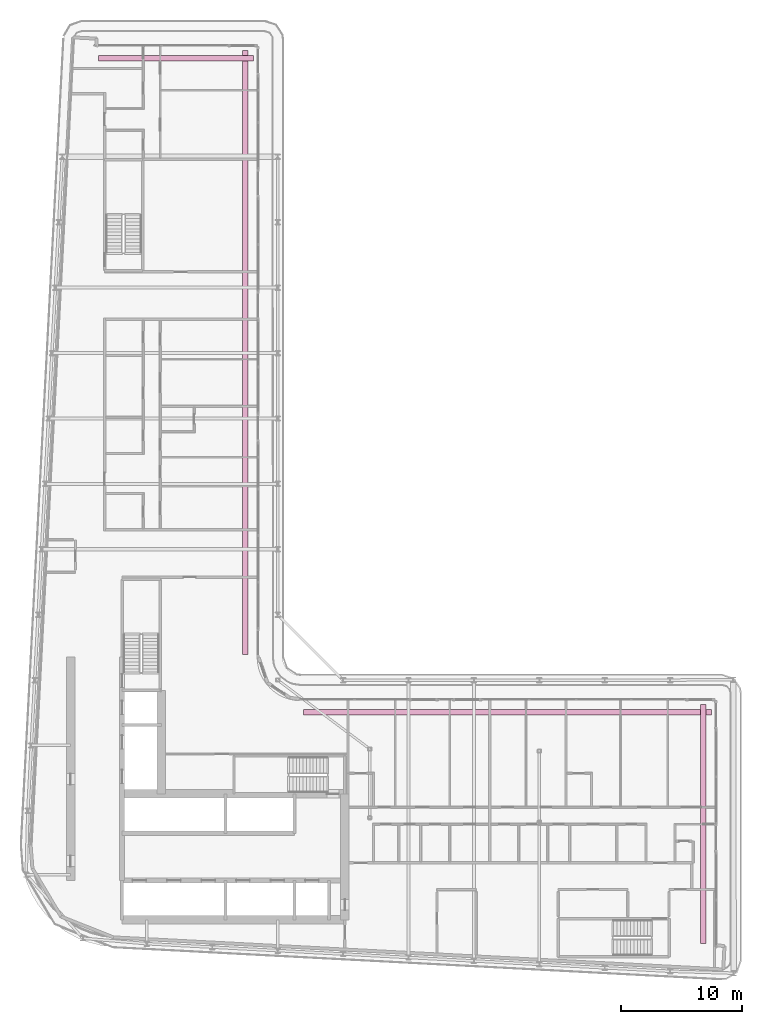
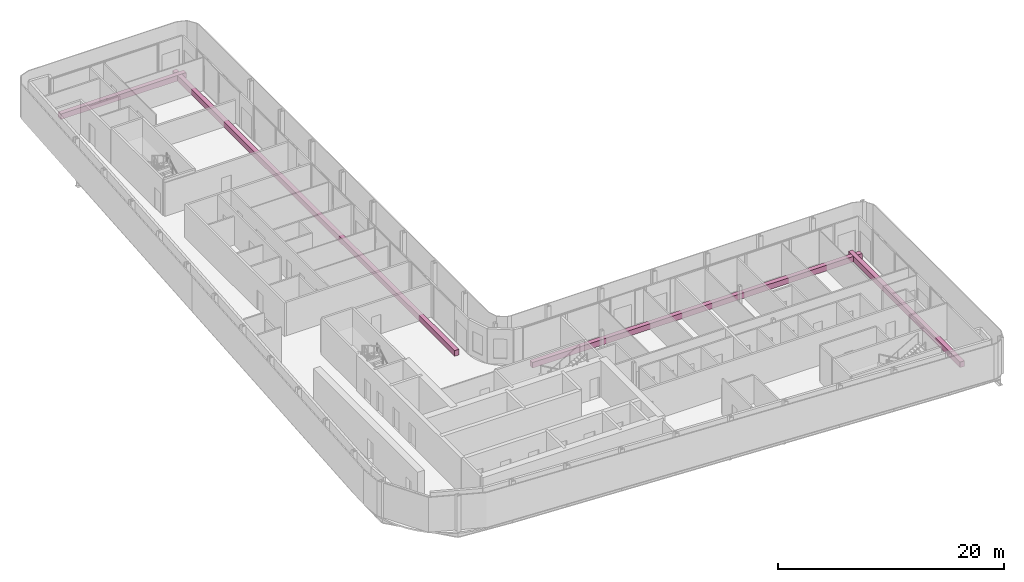
# One storey, part 23 of 23: 4 furniture elements.
"""IFC4 building model written with IfcOpenShell, lengths in metres."""

from ifc_helpers import new_model, si_unit, direction, frame, origin, origin_2d, place, context, subcontext, project, spatial, rectangle, extrude, material, type_object, element, save


model = new_model("IFC4")

# Units and contexts
model_context = context("Model", 3, precision=1e-05, world=origin(), true_north=direction((0.0, 1.0)))
body_context = subcontext(model_context, "Body", "Model", "MODEL_VIEW")
ifc_project = project(units=[si_unit("LENGTHUNIT", "METRE"), si_unit("AREAUNIT", "SQUARE_METRE"), si_unit("VOLUMEUNIT", "CUBIC_METRE"), si_unit("PLANEANGLEUNIT", "RADIAN"), si_unit("MASSUNIT", "GRAM", prefix="KILO")], contexts=[model_context])

# Site, building, storey
site_placement = place(None, origin())
site = spatial("IfcSite", under=ifc_project, at=site_placement, CompositionType="ELEMENT")
building_placement = place(site_placement, origin())
building = spatial("IfcBuilding", under=site, at=building_placement, Name="Kheshtan School and Residences Tower", CompositionType="ELEMENT")
storey_placement = place(building_placement, frame((0.0, 0.0, 259.10009765625)))
storey = spatial("IfcBuildingStorey", under=building, at=storey_placement, Name="L61", CompositionType="ELEMENT", Elevation=259.10009765625)

# Furniture
ifc_material = material(Name="Precast concrete C30/37 in terracotta finish", Category="masonry")
furniture_type = type_object("IfcFurnitureType", Name="Planter trough", AssemblyPlace="NOTDEFINED", PredefinedType="USERDEFINED", material=ifc_material)
furniture_1_placement = place(storey_placement, frame((39.196044921875, 96.925048828125, -0.000244140625), z_axis=(0.0, 0.0, 1.0), x_axis=(1.0, 0.0, 0.0)))
element("IfcFurniture", 1, at=furniture_1_placement, inside=storey, type_object=furniture_type, Name="Planter L61", ObjectType="PLANTER", PredefinedType="USERDEFINED", context=body_context, shape_type="SweptSolid", body=[
    extrude(rectangle(XDim=12.80810546875, YDim=0.449951171875, at=origin_2d()), origin(), (0.0, 0.0, 1.0), 0.60009765625),
])
furniture_2_placement = place(storey_placement, frame((44.925048828125, 72.6650390625, -0.000244140625), z_axis=(0.0, 0.0, 1.0), x_axis=(0.0, -1.0, 0.0)))
element("IfcFurniture", 2, at=furniture_2_placement, inside=storey, type_object=furniture_type, Name="Planter L61", ObjectType="PLANTER", PredefinedType="USERDEFINED", context=body_context, shape_type="SweptSolid", body=[
    extrude(rectangle(XDim=49.8701171875, YDim=0.449951171875, at=origin_2d()), origin(), (0.0, 0.0, 1.0), 0.60009765625),
])
furniture_3_placement = place(storey_placement, frame((66.56494140625, 42.925048828125, -0.000244140625), z_axis=(0.0, 0.0, 1.0), x_axis=(1.0, 0.0, 0.0)))
element("IfcFurniture", 3, at=furniture_3_placement, inside=storey, type_object=furniture_type, Name="Planter L61", ObjectType="PLANTER", PredefinedType="USERDEFINED", context=body_context, shape_type="SweptSolid", body=[
    extrude(rectangle(XDim=33.669921875, YDim=0.449951171875, at=origin_2d()), origin(), (0.0, 0.0, 1.0), 0.60009765625),
])
furniture_4_placement = place(storey_placement, frame((82.72509765625, 33.73291015625, -0.000244140625), z_axis=(0.0, 0.0, 1.0), x_axis=(0.0, -1.0, 0.0)))
element("IfcFurniture", 4, at=furniture_4_placement, inside=storey, type_object=furniture_type, Name="Planter L61", ObjectType="PLANTER", PredefinedType="USERDEFINED", context=body_context, shape_type="SweptSolid", body=[
    extrude(rectangle(XDim=19.73291015625, YDim=0.449951171875, at=origin_2d()), origin(), (0.0, 0.0, 1.0), 0.60009765625),
])

save(model, "model.ifc")
